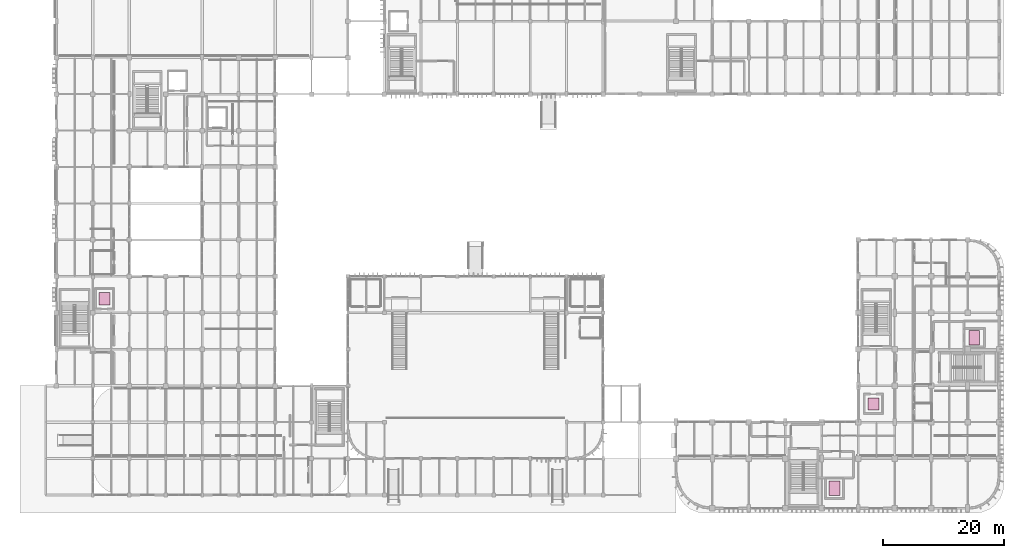
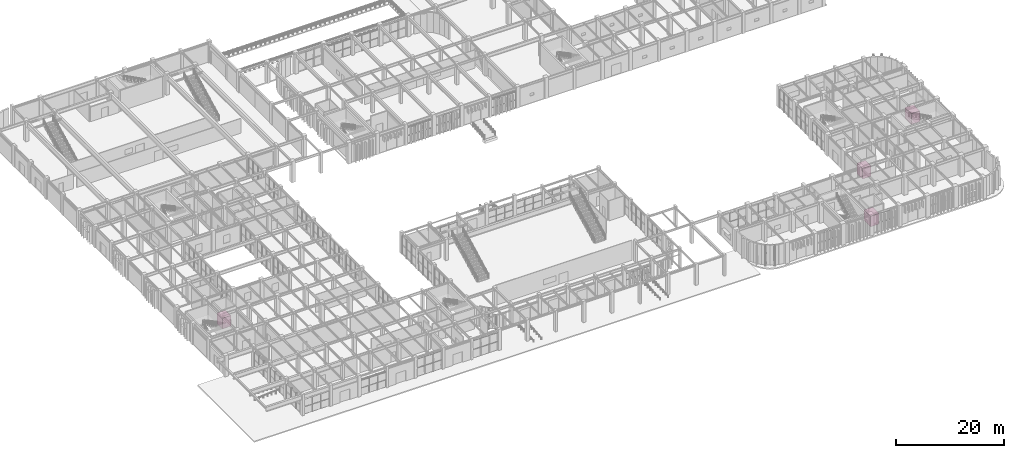
# One storey, part 76 of 76: 4 transport elements.
"""IFC4 building model written with IfcOpenShell, lengths in metres."""

from ifc_helpers import new_model, si_unit, direction, frame, origin, origin_2d, place, context, subcontext, project, spatial, rectangle, extrude, material, type_object, element, save


model = new_model("IFC4")

# Units and contexts
model_context = context("Model", 3, precision=1e-05, world=origin(), true_north=direction((0.0, 1.0)))
body_context = subcontext(model_context, "Body", "Model", "MODEL_VIEW")
ifc_project = project(units=[si_unit("LENGTHUNIT", "METRE"), si_unit("AREAUNIT", "SQUARE_METRE"), si_unit("VOLUMEUNIT", "CUBIC_METRE"), si_unit("PLANEANGLEUNIT", "RADIAN"), si_unit("MASSUNIT", "GRAM", prefix="KILO")], contexts=[model_context])

# Site, building, storey
site_placement = place(None, origin())
site = spatial("IfcSite", under=ifc_project, at=site_placement, CompositionType="ELEMENT")
building_placement = place(site_placement, origin())
building = spatial("IfcBuilding", under=site, at=building_placement, Name="Varnakota Square Police Headquarters", CompositionType="ELEMENT")
storey_placement = place(building_placement, origin())
storey = spatial("IfcBuildingStorey", under=building, at=storey_placement, Name="L00", CompositionType="ELEMENT", Elevation=0.0)

# Transport elements
ifc_material_1 = material(Name="Brushed Stainless Steel Firemans Lift Car", Category="steel")
transport_element_type_1 = type_object("IfcTransportElementType", Name="LFT-FF-1600", PredefinedType="ELEVATOR", material=ifc_material_1)
for number, where, z_axis, x_axis, name in (
    (1, (134.10009765625, 4.10009765625, 0.0), (0.0, 0.0, 1.0), (1.0, 0.0, 0.0), "Firefighting lift LF-FF1"),
    (2, (157.10009765625, 28.89990234375, 0.0), (0.0, 0.0, 1.0), (1.0, 0.0, 0.0), "Firefighting lift LF-FF2"),
):
    element("IfcTransportElement", number, at=place(storey_placement, frame(where, z_axis=z_axis, x_axis=x_axis)), inside=storey, type_object=transport_element_type_1, Name=name, PredefinedType="ELEVATOR", context=body_context, shape_type="SweptSolid", body=[
        extrude(rectangle(XDim=1.800048828125, YDim=2.39990234375, at=origin_2d()), origin(), (0.0, 0.0, 1.0), 2.39990234375),
    ])
ifc_material_2 = material(Name="Brushed Stainless Steel Passenger Lift Car", Category="steel")
transport_element_type_2 = type_object("IfcTransportElementType", Name="LFT-PAX-1360", PredefinedType="ELEVATOR", material=ifc_material_2)
for number, where, z_axis, x_axis, name in (
    (3, (140.5, 18.0, 0.0), (0.0, 0.0, 1.0), (1.0, 0.0, 0.0), "Passenger lift LF-P1"),
    (4, (13.89990234375, 35.300048828125, 0.0), (0.0, 0.0, 1.0), (1.0, 0.0, 0.0), "Passenger lift LF-P2"),
):
    element("IfcTransportElement", number, at=place(storey_placement, frame(where, z_axis=z_axis, x_axis=x_axis)), inside=storey, type_object=transport_element_type_2, Name=name, PredefinedType="ELEVATOR", context=body_context, shape_type="SweptSolid", body=[
        extrude(rectangle(XDim=1.800048828125, YDim=2.0, at=origin_2d()), origin(), (0.0, 0.0, 1.0), 2.39990234375),
    ])

save(model, "model.ifc")
